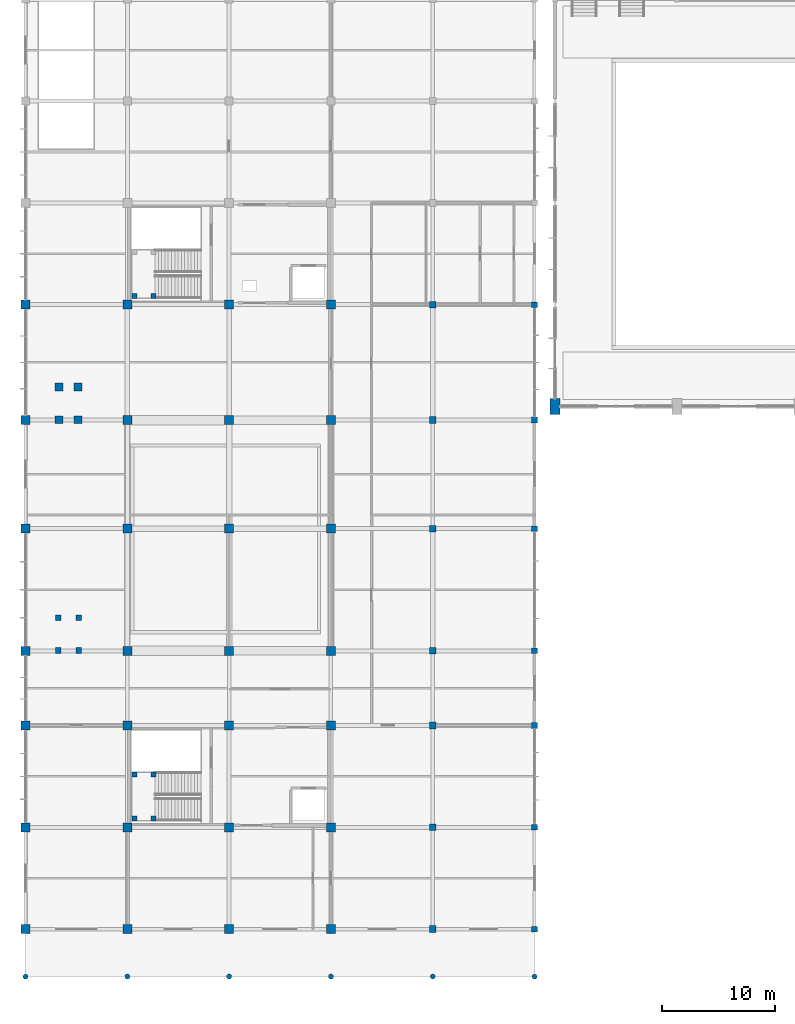
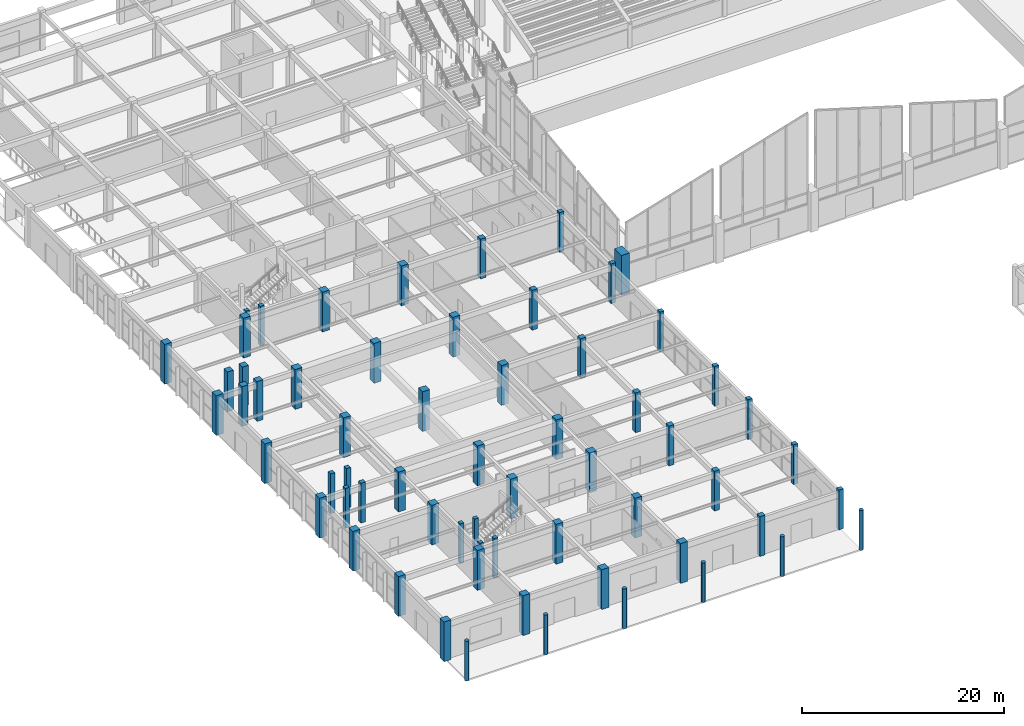
# One storey, part 1 of 82: 63 columns.
"""IFC4 building model written with IfcOpenShell, lengths in metres."""

from ifc_helpers import new_model, si_unit, direction, frame, origin, origin_2d, place, context, subcontext, project, spatial, rectangle, circle, extrude, material, material_profile, profile_set, type_object, element, save


model = new_model("IFC4")

# Units and contexts
model_context = context("Model", 3, precision=1e-05, world=origin(), true_north=direction((0.0, 1.0)))
body_context = subcontext(model_context, "Body", "Model", "MODEL_VIEW")
ifc_project = project(units=[si_unit("LENGTHUNIT", "METRE"), si_unit("AREAUNIT", "SQUARE_METRE"), si_unit("VOLUMEUNIT", "CUBIC_METRE"), si_unit("PLANEANGLEUNIT", "RADIAN"), si_unit("MASSUNIT", "GRAM", prefix="KILO")], contexts=[model_context])

# Site, building, storey
site_placement = place(None, origin())
site = spatial("IfcSite", under=ifc_project, at=site_placement, CompositionType="ELEMENT")
building_placement = place(site_placement, origin())
building = spatial("IfcBuilding", under=site, at=building_placement, Name="Suirenkawa Promenade Aquatics Centre", CompositionType="ELEMENT")
storey_placement = place(building_placement, origin())
storey = spatial("IfcBuildingStorey", under=building, at=storey_placement, Name="L00", CompositionType="ELEMENT", Elevation=0.0)

# Columns
ifc_material = material(Name="Concrete M40", Category="concrete")
ifc_material_profile_1 = material_profile(ifc_material, circle(Radius=0.22509765625, at=origin_2d()), Name="RC ENGAWA D450", Category="concrete")
ifc_profile_set_1 = profile_set([ifc_material_profile_1], Name="Concrete M40")
column_type_1 = type_object("IfcColumnType", Name="CT-ENGAWA-D450", PredefinedType="COLUMN", material=ifc_profile_set_1)
for number, where, z_axis, x_axis, name in (
    (1, (0.0, 0.0, 0.0), (0.0, 0.0, 1.0), (1.0, 0.0, 0.0), "Column CL-10 COL-0936"),
    (2, (9.0, 0.0, 0.0), (0.0, 0.0, 1.0), (1.0, 0.0, 0.0), "Column CL-10 COL-0938"),
    (3, (18.0, 0.0, 0.0), (0.0, 0.0, 1.0), (1.0, 0.0, 0.0), "Column CL-10 COL-0940"),
    (4, (27.0, 0.0, 0.0), (0.0, 0.0, 1.0), (1.0, 0.0, 0.0), "Column CL-10 COL-0942"),
    (5, (36.0, 0.0, 0.0), (0.0, 0.0, 1.0), (1.0, 0.0, 0.0), "Column CL-10 COL-0944"),
    (6, (45.0, 0.0, 0.0), (0.0, 0.0, 1.0), (1.0, 0.0, 0.0), "Column CL-10 COL-0946"),
):
    element("IfcColumn", number, at=place(storey_placement, frame(where, z_axis=z_axis, x_axis=x_axis)), inside=storey, type_object=column_type_1, Name=name, PredefinedType="COLUMN", context=body_context, shape_type="SweptSolid", body=[
        extrude(circle(Radius=0.22509765625, at=origin_2d()), origin(), (0.0, 0.0, 1.0), 4.800048828125),
    ])
ifc_material_profile_2 = material_profile(ifc_material, rectangle(XDim=0.89990234375, YDim=1.39990234375, at=origin_2d()), Name="RC PIER 900x1400", Category="concrete")
ifc_profile_set_2 = profile_set([ifc_material_profile_2], Name="Concrete M40")
column_type_2 = type_object("IfcColumnType", Name="CT-PIER-900x1400", PredefinedType="COLUMN", material=ifc_profile_set_2)
column_placement = place(storey_placement, frame((46.800048828125, 50.39990234375, 0.0), z_axis=(0.0, 0.0, 1.0), x_axis=(1.0, 0.0, 0.0)))
element("IfcColumn", 7, at=column_placement, inside=storey, type_object=column_type_2, Name="Column CL-09 COL-0101", PredefinedType="COLUMN", context=body_context, shape_type="SweptSolid", body=[
    extrude(rectangle(XDim=0.89990234375, YDim=1.39990234375, at=origin_2d()), origin(), (0.0, 0.0, 1.0), 4.800048828125),
])
ifc_material_profile_3 = material_profile(ifc_material, rectangle(XDim=0.449951171875, YDim=0.449951171875, at=origin_2d()), Name="RC COL 450x450", Category="concrete")
ifc_profile_set_3 = profile_set([ifc_material_profile_3], Name="Concrete M40")
column_type_3 = type_object("IfcColumnType", Name="CT-RC-450", PredefinedType="COLUMN", material=ifc_profile_set_3)
for number, where, z_axis, x_axis, name in (
    (8, (9.64990234375, 13.969970703125, 0.0), (0.0, 0.0, 1.0), (1.0, 0.0, 0.0), "Core stair landing column CL-01 COL-CR-C1-L00-1"),
    (9, (11.300048828125, 13.969970703125, 0.0), (0.0, 0.0, 1.0), (1.0, 0.0, 0.0), "Core stair landing column CL-01 COL-CR-C1-L00-2"),
    (10, (9.64990234375, 17.860107421875, 0.0), (0.0, 0.0, 1.0), (1.0, 0.0, 0.0), "Core stair landing column CL-01 COL-CR-C1-L00-3"),
    (11, (11.300048828125, 17.860107421875, 0.0), (0.0, 0.0, 1.0), (1.0, 0.0, 0.0), "Core stair landing column CL-01 COL-CR-C1-L00-4"),
    (12, (9.64990234375, 60.169921875, 0.0), (0.0, 0.0, 1.0), (1.0, 0.0, 0.0), "Core stair landing column CL-01 COL-CR-C2-L00-1"),
    (13, (11.300048828125, 60.169921875, 0.0), (0.0, 0.0, 1.0), (1.0, 0.0, 0.0), "Core stair landing column CL-01 COL-CR-C2-L00-2"),
):
    element("IfcColumn", number, at=place(storey_placement, frame(where, z_axis=z_axis, x_axis=x_axis)), inside=storey, type_object=column_type_3, Name=name, PredefinedType="COLUMN", context=body_context, shape_type="SweptSolid", body=[
        extrude(rectangle(XDim=0.449951171875, YDim=0.449951171875, at=origin_2d()), origin(), (0.0, 0.0, 1.0), 4.800048828125),
    ])
ifc_material_profile_4 = material_profile(ifc_material, rectangle(XDim=0.5, YDim=0.5, at=origin_2d()), Name="RC COL 500x500", Category="concrete")
ifc_profile_set_4 = profile_set([ifc_material_profile_4], Name="Concrete M40")
column_type_4 = type_object("IfcColumnType", Name="CT-RC-500", PredefinedType="COLUMN", material=ifc_profile_set_4)
for number, where, z_axis, x_axis, name in (
    (14, (45.0, 4.199951171875, 0.0), (0.0, 0.0, 1.0), (1.0, 0.0, 0.0), "Column CL-02 COL-0717"),
    (15, (45.0, 13.199951171875, 0.0), (0.0, 0.0, 1.0), (1.0, 0.0, 0.0), "Column CL-02 COL-0720"),
    (16, (45.0, 22.199951171875, 0.0), (0.0, 0.0, 1.0), (1.0, 0.0, 0.0), "Column CL-02 COL-0723"),
    (17, (45.0, 28.800048828125, 0.0), (0.0, 0.0, 1.0), (1.0, 0.0, 0.0), "Column CL-02 COL-0726"),
    (18, (45.0, 39.60009765625, 0.0), (0.0, 0.0, 1.0), (1.0, 0.0, 0.0), "Column CL-02 COL-0729"),
    (19, (45.0, 49.199951171875, 0.0), (0.0, 0.0, 1.0), (1.0, 0.0, 0.0), "Column CL-02 COL-0732"),
    (20, (45.0, 59.39990234375, 0.0), (0.0, 0.0, 1.0), (1.0, 0.0, 0.0), "Column CL-02 COL-0735"),
    (21, (2.89501953125, 28.824951171875, 0.0), (0.0, 0.0, 1.0), (1.0, 0.0, 0.0), "Column CL-02 COL-0897"),
    (22, (2.89501953125, 31.72509765625, 0.0), (0.0, 0.0, 1.0), (1.0, 0.0, 0.0), "Column CL-02 COL-0900"),
    (23, (4.705078125, 28.824951171875, 0.0), (0.0, 0.0, 1.0), (1.0, 0.0, 0.0), "Column CL-02 COL-0903"),
    (24, (4.705078125, 31.72509765625, 0.0), (0.0, 0.0, 1.0), (1.0, 0.0, 0.0), "Column CL-02 COL-0906"),
):
    element("IfcColumn", number, at=place(storey_placement, frame(where, z_axis=z_axis, x_axis=x_axis)), inside=storey, type_object=column_type_4, Name=name, PredefinedType="COLUMN", context=body_context, shape_type="SweptSolid", body=[
        extrude(rectangle(XDim=0.5, YDim=0.5, at=origin_2d()), origin(), (0.0, 0.0, 1.0), 4.800048828125),
    ])
ifc_material_profile_5 = material_profile(ifc_material, rectangle(XDim=0.60009765625, YDim=0.60009765625, at=origin_2d()), Name="RC COL 600x600", Category="concrete")
ifc_profile_set_5 = profile_set([ifc_material_profile_5], Name="Concrete M40")
column_type_5 = type_object("IfcColumnType", Name="CT-RC-600", PredefinedType="COLUMN", material=ifc_profile_set_5)
for number, where, z_axis, x_axis, name in (
    (25, (36.0, 4.199951171875, 0.0), (0.0, 0.0, 1.0), (1.0, 0.0, 0.0), "Column CL-03 COL-0525"),
    (26, (36.0, 13.199951171875, 0.0), (0.0, 0.0, 1.0), (1.0, 0.0, 0.0), "Column CL-03 COL-0529"),
    (27, (36.0, 22.199951171875, 0.0), (0.0, 0.0, 1.0), (1.0, 0.0, 0.0), "Column CL-03 COL-0533"),
    (28, (36.0, 28.800048828125, 0.0), (0.0, 0.0, 1.0), (1.0, 0.0, 0.0), "Column CL-03 COL-0537"),
    (29, (36.0, 39.60009765625, 0.0), (0.0, 0.0, 1.0), (1.0, 0.0, 0.0), "Column CL-03 COL-0541"),
    (30, (36.0, 49.199951171875, 0.0), (0.0, 0.0, 1.0), (1.0, 0.0, 0.0), "Column CL-03 COL-0545"),
    (31, (36.0, 59.39990234375, 0.0), (0.0, 0.0, 1.0), (1.0, 0.0, 0.0), "Column CL-03 COL-0549"),
):
    element("IfcColumn", number, at=place(storey_placement, frame(where, z_axis=z_axis, x_axis=x_axis)), inside=storey, type_object=column_type_5, Name=name, PredefinedType="COLUMN", context=body_context, shape_type="SweptSolid", body=[
        extrude(rectangle(XDim=0.60009765625, YDim=0.60009765625, at=origin_2d()), origin(), (0.0, 0.0, 1.0), 4.800048828125),
    ])
ifc_material_profile_6 = material_profile(ifc_material, rectangle(XDim=0.699951171875, YDim=0.699951171875, at=origin_2d()), Name="RC COL 700x700", Category="concrete")
ifc_profile_set_6 = profile_set([ifc_material_profile_6], Name="Concrete M40")
column_type_6 = type_object("IfcColumnType", Name="CT-RC-700", PredefinedType="COLUMN", material=ifc_profile_set_6)
for number, where, z_axis, x_axis, name in (
    (32, (2.945068359375, 49.22509765625, 0.0), (0.0, 0.0, 1.0), (1.0, 0.0, 0.0), "Column CL-04 COL-0433"),
    (33, (2.945068359375, 52.125, 0.0), (0.0, 0.0, 1.0), (1.0, 0.0, 0.0), "Column CL-04 COL-0438"),
    (34, (4.655029296875, 49.22509765625, 0.0), (0.0, 0.0, 1.0), (1.0, 0.0, 0.0), "Column CL-04 COL-0443"),
    (35, (4.655029296875, 52.125, 0.0), (0.0, 0.0, 1.0), (1.0, 0.0, 0.0), "Column CL-04 COL-0448"),
):
    element("IfcColumn", number, at=place(storey_placement, frame(where, z_axis=z_axis, x_axis=x_axis)), inside=storey, type_object=column_type_6, Name=name, PredefinedType="COLUMN", context=body_context, shape_type="SweptSolid", body=[
        extrude(rectangle(XDim=0.699951171875, YDim=0.699951171875, at=origin_2d()), origin(), (0.0, 0.0, 1.0), 4.800048828125),
    ])
ifc_material_profile_7 = material_profile(ifc_material, rectangle(XDim=0.800048828125, YDim=0.800048828125, at=origin_2d()), Name="RC COL 800x800", Category="concrete")
ifc_profile_set_7 = profile_set([ifc_material_profile_7], Name="Concrete M40")
column_type_7 = type_object("IfcColumnType", Name="CT-RC-800", PredefinedType="COLUMN", material=ifc_profile_set_7)
for number, where, z_axis, x_axis, name in (
    (36, (0.0, 4.199951171875, 0.0), (0.0, 0.0, 1.0), (1.0, 0.0, 0.0), "Column CL-05 COL-0161"),
    (37, (0.0, 13.199951171875, 0.0), (0.0, 0.0, 1.0), (1.0, 0.0, 0.0), "Column CL-05 COL-0167"),
    (38, (0.0, 22.199951171875, 0.0), (0.0, 0.0, 1.0), (1.0, 0.0, 0.0), "Column CL-05 COL-0173"),
    (39, (0.0, 28.800048828125, 0.0), (0.0, 0.0, 1.0), (1.0, 0.0, 0.0), "Column CL-05 COL-0179"),
    (40, (0.0, 39.60009765625, 0.0), (0.0, 0.0, 1.0), (1.0, 0.0, 0.0), "Column CL-05 COL-0185"),
    (41, (0.0, 49.199951171875, 0.0), (0.0, 0.0, 1.0), (1.0, 0.0, 0.0), "Column CL-05 COL-0191"),
    (42, (0.0, 59.39990234375, 0.0), (0.0, 0.0, 1.0), (1.0, 0.0, 0.0), "Column CL-05 COL-0197"),
    (43, (9.0, 4.199951171875, 0.0), (0.0, 0.0, 1.0), (1.0, 0.0, 0.0), "Column CL-05 COL-0209"),
    (44, (9.0, 13.199951171875, 0.0), (0.0, 0.0, 1.0), (1.0, 0.0, 0.0), "Column CL-05 COL-0215"),
    (45, (9.0, 22.199951171875, 0.0), (0.0, 0.0, 1.0), (1.0, 0.0, 0.0), "Column CL-05 COL-0221"),
    (46, (9.0, 28.800048828125, 0.0), (0.0, 0.0, 1.0), (1.0, 0.0, 0.0), "Column CL-05 COL-0227"),
    (47, (9.0, 39.60009765625, 0.0), (0.0, 0.0, 1.0), (1.0, 0.0, 0.0), "Column CL-05 COL-0233"),
    (48, (9.0, 49.199951171875, 0.0), (0.0, 0.0, 1.0), (1.0, 0.0, 0.0), "Column CL-05 COL-0239"),
    (49, (9.0, 59.39990234375, 0.0), (0.0, 0.0, 1.0), (1.0, 0.0, 0.0), "Column CL-05 COL-0245"),
    (50, (18.0, 4.199951171875, 0.0), (0.0, 0.0, 1.0), (1.0, 0.0, 0.0), "Column CL-05 COL-0257"),
    (51, (18.0, 13.199951171875, 0.0), (0.0, 0.0, 1.0), (1.0, 0.0, 0.0), "Column CL-05 COL-0263"),
    (52, (18.0, 22.199951171875, 0.0), (0.0, 0.0, 1.0), (1.0, 0.0, 0.0), "Column CL-05 COL-0269"),
    (53, (18.0, 28.800048828125, 0.0), (0.0, 0.0, 1.0), (1.0, 0.0, 0.0), "Column CL-05 COL-0275"),
    (54, (18.0, 39.60009765625, 0.0), (0.0, 0.0, 1.0), (1.0, 0.0, 0.0), "Column CL-05 COL-0281"),
    (55, (18.0, 49.199951171875, 0.0), (0.0, 0.0, 1.0), (1.0, 0.0, 0.0), "Column CL-05 COL-0287"),
    (56, (18.0, 59.39990234375, 0.0), (0.0, 0.0, 1.0), (1.0, 0.0, 0.0), "Column CL-05 COL-0293"),
    (57, (27.0, 4.199951171875, 0.0), (0.0, 0.0, 1.0), (1.0, 0.0, 0.0), "Column CL-05 COL-0305"),
    (58, (27.0, 13.199951171875, 0.0), (0.0, 0.0, 1.0), (1.0, 0.0, 0.0), "Column CL-05 COL-0311"),
    (59, (27.0, 22.199951171875, 0.0), (0.0, 0.0, 1.0), (1.0, 0.0, 0.0), "Column CL-05 COL-0317"),
    (60, (27.0, 28.800048828125, 0.0), (0.0, 0.0, 1.0), (1.0, 0.0, 0.0), "Column CL-05 COL-0323"),
    (61, (27.0, 39.60009765625, 0.0), (0.0, 0.0, 1.0), (1.0, 0.0, 0.0), "Column CL-05 COL-0329"),
    (62, (27.0, 49.199951171875, 0.0), (0.0, 0.0, 1.0), (1.0, 0.0, 0.0), "Column CL-05 COL-0335"),
    (63, (27.0, 59.39990234375, 0.0), (0.0, 0.0, 1.0), (1.0, 0.0, 0.0), "Column CL-05 COL-0341"),
):
    element("IfcColumn", number, at=place(storey_placement, frame(where, z_axis=z_axis, x_axis=x_axis)), inside=storey, type_object=column_type_7, Name=name, PredefinedType="COLUMN", context=body_context, shape_type="SweptSolid", body=[
        extrude(rectangle(XDim=0.800048828125, YDim=0.800048828125, at=origin_2d()), origin(), (0.0, 0.0, 1.0), 4.800048828125),
    ])

save(model, "model.ifc")
